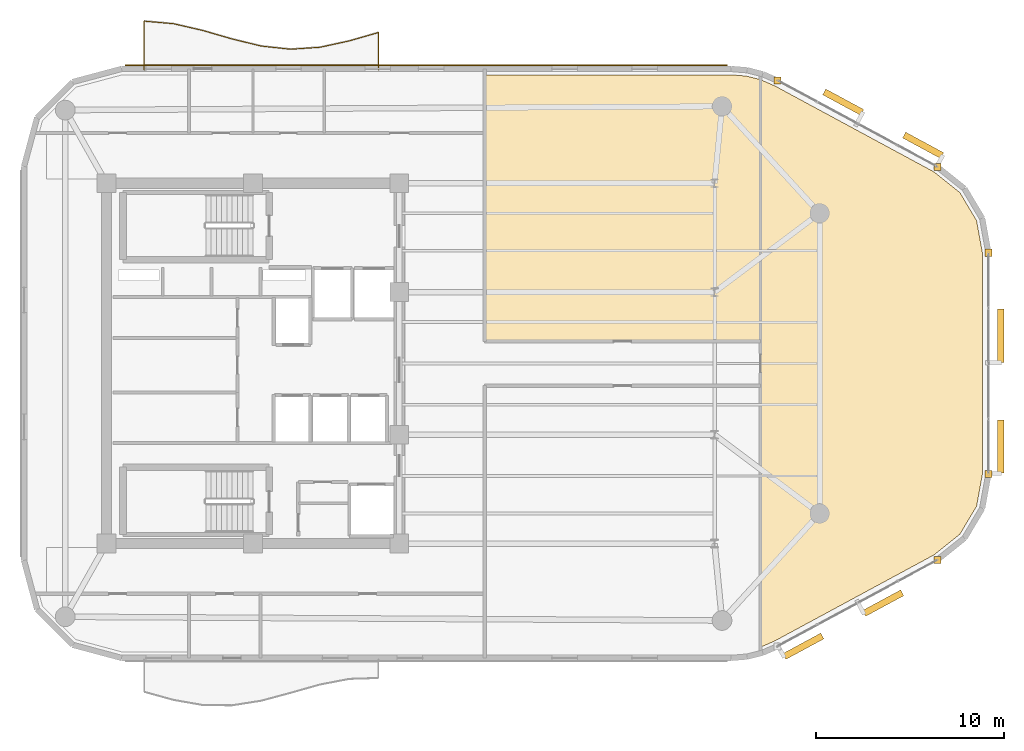
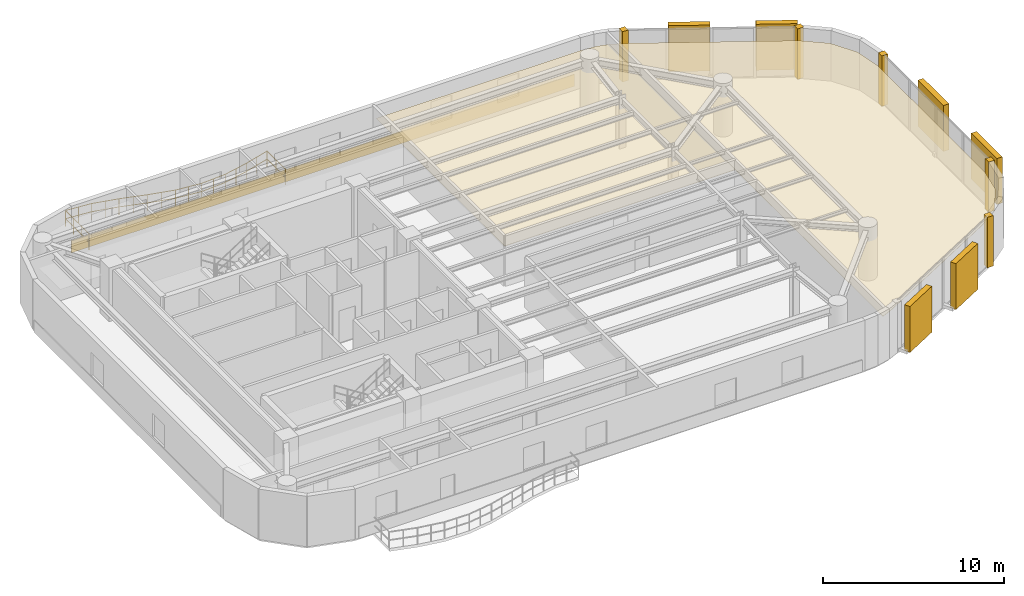
# One storey, part 13 of 13: 8 coverings, 6 shading devices, 1 railing.
"""IFC4 building model written with IfcOpenShell, lengths in metres."""

from ifc_helpers import new_model, si_unit, direction, frame, origin, origin_2d, place, context, subcontext, project, spatial, polyline, rectangle, circle, outline, extrude, material, layer, layer_set, type_object, element, save


model = new_model("IFC4")

# Units and contexts
model_context = context("Model", 3, precision=1e-05, world=origin(), true_north=direction((0.0, 1.0)))
body_context = subcontext(model_context, "Body", "Model", "MODEL_VIEW")
ifc_project = project(units=[si_unit("LENGTHUNIT", "METRE"), si_unit("AREAUNIT", "SQUARE_METRE"), si_unit("VOLUMEUNIT", "CUBIC_METRE"), si_unit("PLANEANGLEUNIT", "RADIAN"), si_unit("MASSUNIT", "GRAM", prefix="KILO")], contexts=[model_context])

# Site, building, storey
site_placement = place(None, origin())
site = spatial("IfcSite", under=ifc_project, at=site_placement, CompositionType="ELEMENT")
building_placement = place(site_placement, origin())
building = spatial("IfcBuilding", under=site, at=building_placement, Name="An Khanh Terracotta Commons", CompositionType="ELEMENT")
storey_placement = place(building_placement, frame((0.0, 0.0, 237.300048828125)))
storey = spatial("IfcBuildingStorey", under=building, at=storey_placement, Name="L62", CompositionType="ELEMENT", Elevation=237.300048828125)

# Coverings
ifc_material_1 = material(Name="Perforated Mineral-Fibre Acoustic Tile")
ifc_layer_1 = layer(ifc_material_1, 0.02001953125, Name="Perforated Mineral-Fibre Acoustic Tile")
ifc_layer_set_1 = layer_set([ifc_layer_1], Name="Perforated Mineral-Fibre Acoustic Tile")
covering_type_1 = type_object("IfcCoveringType", Name="CEIL-ACOUSTIC-18", PredefinedType="CEILING", material=ifc_layer_set_1)
covering_1_placement = place(storey_placement, frame((0.0, 0.0, 2.64990234375)))
element("IfcCovering", 1, at=covering_1_placement, inside=storey, type_object=covering_type_1, Name="L62 Collaborative Study Lounge Ceiling", PredefinedType="CEILING", context=body_context, shape_type="SweptSolid", body=[
    extrude(outline(polyline([(54.8720703125, 39.3798828125), (55.68701171875, 39.31201171875), (56.449951171875, 39.1201171875), (56.449951171875, 25.179931640625), (41.75, 25.179931640625), (41.75, 33.820068359375), (41.75, 36.280029296875), (41.75, 39.3798828125), (54.8720703125, 39.3798828125)])), origin(), (0.0, 0.0, 1.0), 0.02001953125),
])
covering_2_placement = place(storey_placement, frame((0.0, 0.0, 2.64990234375)))
element("IfcCovering", 2, at=covering_2_placement, inside=storey, type_object=covering_type_1, Name="L62 Riverfront Reference Library Ceiling", PredefinedType="CEILING", context=body_context, shape_type="SweptSolid", body=[
    extrude(outline(polyline([(56.467041015625, 39.114990234375), (57.217041015625, 38.787109375), (65.695068359375, 34.2060546875), (67.074951171875, 33.10205078125), (67.964111328125, 31.610107421875), (68.280029296875, 29.8701171875), (68.280029296875, 18.1298828125), (67.964111328125, 16.389892578125), (67.074951171875, 14.89794921875), (65.695068359375, 13.7939453125), (57.217041015625, 9.212890625), (56.467041015625, 8.885009765625), (56.449951171875, 8.8798828125), (56.449951171875, 22.820068359375), (56.449951171875, 25.179931640625), (56.449951171875, 39.1201171875), (56.467041015625, 39.114990234375)])), origin(), (0.0, 0.0, 1.0), 0.02001953125),
])
ifc_material_2 = material(Name="Fired Terracotta Rainscreen Cladding", Category="masonry")
ifc_layer_2 = layer(ifc_material_2, 0.080078125, Name="Fired Terracotta Rainscreen Cladding")
ifc_layer_set_2 = layer_set([ifc_layer_2], Name="Fired Terracotta Rainscreen Cladding")
covering_type_2 = type_object("IfcCoveringType", Name="COV-JAMB-TERRA", PredefinedType="CLADDING", material=ifc_layer_set_2)
for number, where, z_axis, x_axis, name in (
    (3, (65.8720703125, 13.52587890625, 0.0), (0.0, 0.0, 1.0), (1.0, 0.0, 0.0), "L62 CW-03 Curtain-Wall Jamb Closure JB"),
    (4, (68.60009765625, 18.10107421875, 0.0), (0.0, 0.0, 1.0), (1.0, 0.0, 0.0), "L62 CW-03 Curtain-Wall Jamb Closure JA"),
    (5, (68.60009765625, 29.89892578125, 0.0), (0.0, 0.0, 1.0), (1.0, 0.0, 0.0), "L62 CW-03 Curtain-Wall Jamb Closure JB"),
    (6, (65.8720703125, 34.47412109375, 0.0), (0.0, 0.0, 1.0), (1.0, 0.0, 0.0), "L62 CW-03 Curtain-Wall Jamb Closure JA"),
    (7, (57.35693359375, 39.074951171875, 0.0), (0.0, 0.0, 1.0), (1.0, 0.0, 0.0), "L62 CW-03 Curtain-Wall Jamb Closure JB"),
):
    element("IfcCovering", number, at=place(storey_placement, frame(where, z_axis=z_axis, x_axis=x_axis)), inside=storey, type_object=covering_type_2, Name=name, PredefinedType="CLADDING", context=body_context, shape_type="SweptSolid", body=[
        extrude(rectangle(XDim=0.3798828125, YDim=0.3798828125, at=origin_2d()), origin(), (0.0, 0.0, 1.0), 3.39990234375),
    ])
ifc_layer_3 = layer(ifc_material_2, 0.06005859375, Name="Fired Terracotta Rainscreen Cladding")
ifc_layer_set_3 = layer_set([ifc_layer_3], Name="Fired Terracotta Rainscreen Cladding")
covering_type_3 = type_object("IfcCoveringType", Name="COV-SPANDREL-TERRA", PredefinedType="CLADDING", material=ifc_layer_set_3)
covering_3_placement = place(storey_placement, frame((38.64208984375, 39.8798828125, 0.02001953125), z_axis=(0.0, 0.0, 1.0), x_axis=(-1.0, 0.0, 0.0)))
element("IfcCovering", 8, at=covering_3_placement, inside=storey, type_object=covering_type_3, Name="L62 Terracotta Spandrel Cladding 20", PredefinedType="CLADDING", context=body_context, shape_type="SweptSolid", body=[
    extrude(rectangle(XDim=32.0849609375, YDim=0.06005859375, at=origin_2d()), origin(), (0.0, 0.0, 1.0), 0.800048828125),
])

# Railing
ifc_material_3 = material(Name="Brushed Stainless Steel 316", Category="steel")
railing_type = type_object("IfcRailingType", Name="RAIL-BALUSTRADE-1100", PredefinedType="BALUSTRADE", material=ifc_material_3)
railing_placement = place(storey_placement, frame((36.10009765625, 39.639892578125, 0.0)))
element("IfcRailing", 9, at=railing_placement, inside=storey, type_object=railing_type, Name="L62 N Wave Balcony Guard Balustrade", PredefinedType="BALUSTRADE", context=body_context, shape_type="SweptSolid", body=[
    extrude(circle(Radius=0.02392578125, at=origin_2d()), frame((0.0, 0.0, 1.076171875), z_axis=(0.0, 1.0, 0.0), x_axis=(-1.0, 0.0, 0.0)), (0.0, 0.0, 1.0), 1.99609375),
    extrude(circle(Radius=0.02392578125, at=origin_2d()), frame((0.0, 0.0, 0.52587890625), z_axis=(0.0, 1.0, 0.0), x_axis=(-1.0, 0.0, 0.0)), (0.0, 0.0, 1.0), 1.99609375),
    extrude(circle(Radius=0.02392578125, at=origin_2d()), frame((0.0, 1.99609375, 1.076171875), z_axis=(-0.960926592464, -0.276803330715, 0.0), x_axis=(0.276803330715, -0.960926592464, 0.0)), (0.0, 0.0, 1.0), 1.62548828125),
    extrude(circle(Radius=0.02392578125, at=origin_2d()), frame((0.0, 1.99609375, 0.52587890625), z_axis=(-0.960926592464, -0.276803330715, 0.0), x_axis=(0.276803330715, -0.960926592464, 0.0)), (0.0, 0.0, 1.0), 1.62548828125),
    extrude(circle(Radius=0.02392578125, at=origin_2d()), frame((-1.56201171875, 1.546142578125, 1.076171875), z_axis=(-0.977263077738, -0.21203036785, 0.0), x_axis=(0.21203036785, -0.977263077738, 0.0)), (0.0, 0.0, 1.0), 1.599365234375),
    extrude(circle(Radius=0.02392578125, at=origin_2d()), frame((-1.56201171875, 1.546142578125, 0.52587890625), z_axis=(-0.977263077738, -0.21203036785, 0.0), x_axis=(0.21203036785, -0.977263077738, 0.0)), (0.0, 0.0, 1.0), 1.599365234375),
    extrude(circle(Radius=0.02392578125, at=origin_2d()), frame((-3.125, 1.20703125, 1.076171875), z_axis=(-0.997749131074, -0.067057225127, 0.0), x_axis=(0.067057225127, -0.997749131074, 0.0)), (0.0, 0.0, 1.0), 1.5654296875),
    extrude(circle(Radius=0.02392578125, at=origin_2d()), frame((-3.125, 1.20703125, 0.52587890625), z_axis=(-0.997749131074, -0.067057225127, 0.0), x_axis=(0.067057225127, -0.997749131074, 0.0)), (0.0, 0.0, 1.0), 1.5654296875),
    extrude(circle(Radius=0.02392578125, at=origin_2d()), frame((-4.68701171875, 1.10205078125, 1.076171875), z_axis=(-0.994275025614, 0.106851174262, 0.0), x_axis=(-0.106851174262, -0.994275025614, 0.0)), (0.0, 0.0, 1.0), 1.572021484375),
    extrude(circle(Radius=0.02392578125, at=origin_2d()), frame((-4.68701171875, 1.10205078125, 0.52587890625), z_axis=(-0.994275025614, 0.106851174262, 0.0), x_axis=(-0.106851174262, -0.994275025614, 0.0)), (0.0, 0.0, 1.0), 1.572021484375),
    extrude(circle(Radius=0.02392578125, at=origin_2d()), frame((-6.25, 1.27001953125, 1.076171875), z_axis=(-0.971642146791, 0.236456208589, 0.0), x_axis=(-0.236456208589, -0.971642146791, 0.0)), (0.0, 0.0, 1.0), 1.607666015625),
    extrude(circle(Radius=0.02392578125, at=origin_2d()), frame((-6.25, 1.27001953125, 0.52587890625), z_axis=(-0.971642146791, 0.236456208589, 0.0), x_axis=(-0.236456208589, -0.971642146791, 0.0)), (0.0, 0.0, 1.0), 1.607666015625),
    extrude(circle(Radius=0.02392578125, at=origin_2d()), frame((-7.81201171875, 1.650146484375, 1.076171875), z_axis=(-0.960492524809, 0.27830578468, 0.0), x_axis=(-0.27830578468, -0.960492524809, 0.0)), (0.0, 0.0, 1.0), 1.627197265625),
    extrude(circle(Radius=0.02392578125, at=origin_2d()), frame((-7.81201171875, 1.650146484375, 0.52587890625), z_axis=(-0.960492524809, 0.27830578468, 0.0), x_axis=(-0.27830578468, -0.960492524809, 0.0)), (0.0, 0.0, 1.0), 1.627197265625),
    extrude(circle(Radius=0.02392578125, at=origin_2d()), frame((-9.375, 2.10302734375, 1.076171875), z_axis=(-0.974439944228, 0.224648158446, 0.0), x_axis=(-0.224648158446, -0.974439944228, 0.0)), (0.0, 0.0, 1.0), 1.60302734375),
    extrude(circle(Radius=0.02392578125, at=origin_2d()), frame((-9.375, 2.10302734375, 0.52587890625), z_axis=(-0.974439944228, 0.224648158446, 0.0), x_axis=(-0.224648158446, -0.974439944228, 0.0)), (0.0, 0.0, 1.0), 1.60302734375),
    extrude(circle(Radius=0.02392578125, at=origin_2d()), frame((-10.93701171875, 2.463134765625, 1.076171875), z_axis=(-0.996182561968, 0.087294348214, 0.0), x_axis=(-0.087294348214, -0.996182561968, 0.0)), (0.0, 0.0, 1.0), 1.569091796875),
    extrude(circle(Radius=0.02392578125, at=origin_2d()), frame((-10.93701171875, 2.463134765625, 0.52587890625), z_axis=(-0.996182561968, 0.087294348214, 0.0), x_axis=(-0.087294348214, -0.996182561968, 0.0)), (0.0, 0.0, 1.0), 1.569091796875),
    extrude(circle(Radius=0.02392578125, at=origin_2d()), frame((-12.5, 2.60009765625, 1.076171875), z_axis=(0.0, -1.0, 0.0), x_axis=(1.0, 0.0, 0.0)), (0.0, 0.0, 1.0), 2.60009765625),
    extrude(circle(Radius=0.02392578125, at=origin_2d()), frame((-12.5, 2.60009765625, 0.52587890625), z_axis=(0.0, -1.0, 0.0), x_axis=(1.0, 0.0, 0.0)), (0.0, 0.0, 1.0), 2.60009765625),
    extrude(circle(Radius=0.02099609375, at=origin_2d()), origin(), (0.0, 0.0, 1.0), 1.052001953125),
    extrude(circle(Radius=0.02099609375, at=origin_2d()), frame((0.0, 0.998046875, 0.0)), (0.0, 0.0, 1.0), 1.052001953125),
    extrude(circle(Radius=0.02099609375, at=origin_2d()), frame((0.0, 1.99609375, 0.0)), (0.0, 0.0, 1.0), 1.052001953125),
    extrude(circle(Radius=0.02099609375, at=origin_2d()), frame((-0.781005859375, 1.77099609375, 0.0)), (0.0, 0.0, 1.0), 1.052001953125),
    extrude(circle(Radius=0.02099609375, at=origin_2d()), frame((-1.56201171875, 1.546142578125, 0.0)), (0.0, 0.0, 1.0), 1.052001953125),
    extrude(circle(Radius=0.02099609375, at=origin_2d()), frame((-2.343505859375, 1.37646484375, 0.0)), (0.0, 0.0, 1.0), 1.052001953125),
    extrude(circle(Radius=0.02099609375, at=origin_2d()), frame((-3.125, 1.20703125, 0.0)), (0.0, 0.0, 1.0), 1.052001953125),
    extrude(circle(Radius=0.02099609375, at=origin_2d()), frame((-3.906005859375, 1.154541015625, 0.0)), (0.0, 0.0, 1.0), 1.052001953125),
    extrude(circle(Radius=0.02099609375, at=origin_2d()), frame((-4.68701171875, 1.10205078125, 0.0)), (0.0, 0.0, 1.0), 1.052001953125),
    extrude(circle(Radius=0.02099609375, at=origin_2d()), frame((-5.468505859375, 1.18603515625, 0.0)), (0.0, 0.0, 1.0), 1.052001953125),
    extrude(circle(Radius=0.02099609375, at=origin_2d()), frame((-6.25, 1.27001953125, 0.0)), (0.0, 0.0, 1.0), 1.052001953125),
    extrude(circle(Radius=0.02099609375, at=origin_2d()), frame((-7.031005859375, 1.4599609375, 0.0)), (0.0, 0.0, 1.0), 1.052001953125),
    extrude(circle(Radius=0.02099609375, at=origin_2d()), frame((-7.81201171875, 1.650146484375, 0.0)), (0.0, 0.0, 1.0), 1.052001953125),
    extrude(circle(Radius=0.02099609375, at=origin_2d()), frame((-8.593505859375, 1.87646484375, 0.0)), (0.0, 0.0, 1.0), 1.052001953125),
    extrude(circle(Radius=0.02099609375, at=origin_2d()), frame((-9.375, 2.10302734375, 0.0)), (0.0, 0.0, 1.0), 1.052001953125),
    extrude(circle(Radius=0.02099609375, at=origin_2d()), frame((-10.156005859375, 2.283203125, 0.0)), (0.0, 0.0, 1.0), 1.052001953125),
    extrude(circle(Radius=0.02099609375, at=origin_2d()), frame((-10.93701171875, 2.463134765625, 0.0)), (0.0, 0.0, 1.0), 1.052001953125),
    extrude(circle(Radius=0.02099609375, at=origin_2d()), frame((-11.718505859375, 2.53173828125, 0.0)), (0.0, 0.0, 1.0), 1.052001953125),
    extrude(circle(Radius=0.02099609375, at=origin_2d()), frame((-12.5, 2.60009765625, 0.0)), (0.0, 0.0, 1.0), 1.052001953125),
    extrude(circle(Radius=0.02099609375, at=origin_2d()), frame((-12.5, 1.7333984375, 0.0)), (0.0, 0.0, 1.0), 1.052001953125),
    extrude(circle(Radius=0.02099609375, at=origin_2d()), frame((-12.5, 0.86669921875, 0.0)), (0.0, 0.0, 1.0), 1.052001953125),
    extrude(circle(Radius=0.02099609375, at=origin_2d()), frame((-12.5, 0.0, 0.0)), (0.0, 0.0, 1.0), 1.052001953125),
])

# Shading devices
ifc_material_4 = material(Name="Extruded Fired Terracotta", Category="masonry")
shading_device_type = type_object("IfcShadingDeviceType", Name="Terracotta Baguette Screen Assembly", PredefinedType="USERDEFINED", material=ifc_material_4)
for number, where, z_axis, x_axis, name in (
    (10, (58.72998046875, 8.927978515625, 0.14990234375), (0.0, 0.0, 1.0), (0.879780095306, 0.47538088298, 0.0), "L62 Terracotta Baguette Screen 1"),
    (11, (62.988037109375, 11.22900390625, 0.14990234375), (0.0, 0.0, 1.0), (0.879780095306, 0.47538088298, 0.0), "L62 Terracotta Baguette Screen 3"),
):
    element("IfcShadingDevice", number, at=place(storey_placement, frame(where, z_axis=z_axis, x_axis=x_axis)), inside=storey, type_object=shading_device_type, Name=name, ObjectType="BAGUETTE", PredefinedType="USERDEFINED", context=body_context, shape_type="SweptSolid", body=[
        extrude(rectangle(XDim=2.300048828125, YDim=0.35009765625, at=origin_2d()), origin(), (0.0, 0.0, 1.0), 3.10009765625),
    ])
for number, where, z_axis, x_axis, name in (
    (12, (69.25, 19.575927734375, 0.14990234375), (0.0, 0.0, 1.0), (0.0, 1.0, 0.0), "L62 Terracotta Baguette Screen 1"),
    (13, (69.25, 25.47509765625, 0.14990234375), (0.0, 0.0, 1.0), (0.0, 1.0, 0.0), "L62 Terracotta Baguette Screen 3"),
):
    element("IfcShadingDevice", number, at=place(storey_placement, frame(where, z_axis=z_axis, x_axis=x_axis)), inside=storey, type_object=shading_device_type, Name=name, ObjectType="BAGUETTE", PredefinedType="USERDEFINED", context=body_context, shape_type="SweptSolid", body=[
        extrude(rectangle(XDim=2.830078125, YDim=0.35009765625, at=origin_2d()), origin(), (0.0, 0.0, 1.0), 3.10009765625),
    ])
for number, where, z_axis, x_axis, name in (
    (14, (65.116943359375, 35.62109375, 0.14990234375), (0.0, 0.0, 1.0), (-0.879780095306, 0.47538088298, 0.0), "L62 Terracotta Baguette Screen 1"),
    (15, (60.85888671875, 37.9208984375, 0.14990234375), (0.0, 0.0, 1.0), (-0.879780095306, 0.47538088298, 0.0), "L62 Terracotta Baguette Screen 3"),
):
    element("IfcShadingDevice", number, at=place(storey_placement, frame(where, z_axis=z_axis, x_axis=x_axis)), inside=storey, type_object=shading_device_type, Name=name, ObjectType="BAGUETTE", PredefinedType="USERDEFINED", context=body_context, shape_type="SweptSolid", body=[
        extrude(rectangle(XDim=2.300048828125, YDim=0.35009765625, at=origin_2d()), origin(), (0.0, 0.0, 1.0), 3.10009765625),
    ])

save(model, "model.ifc")
